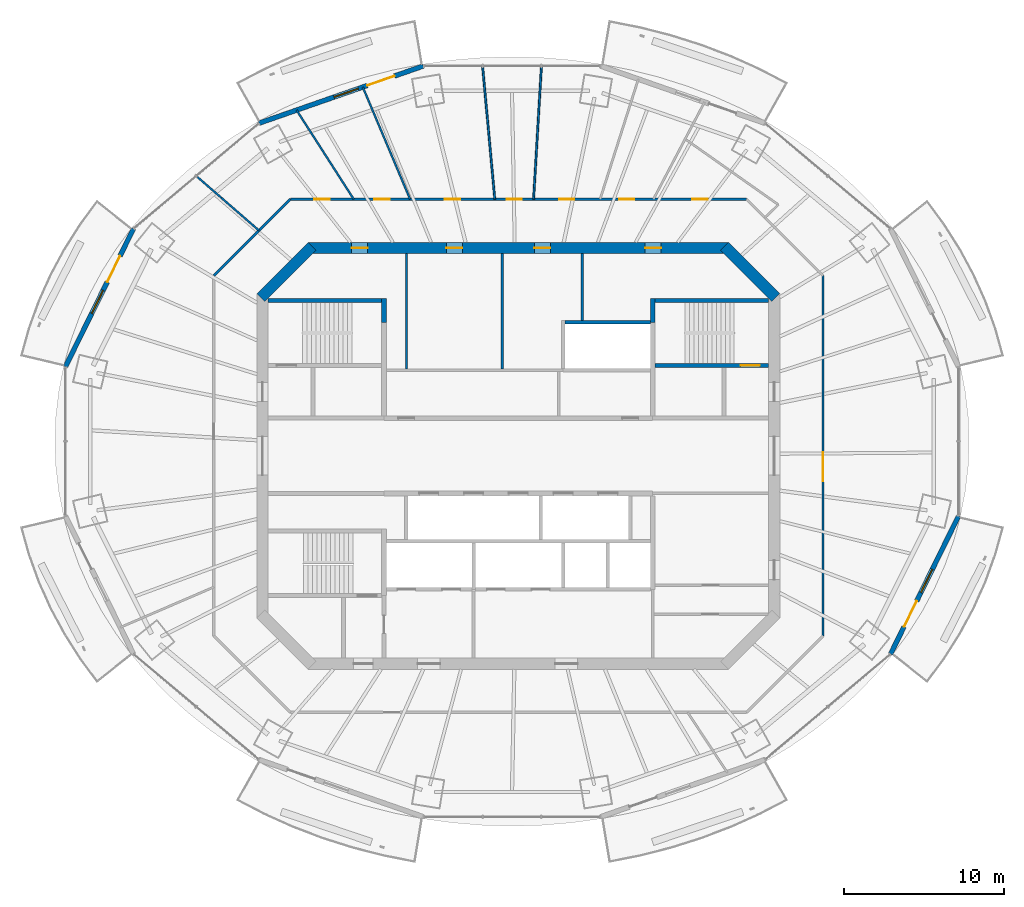
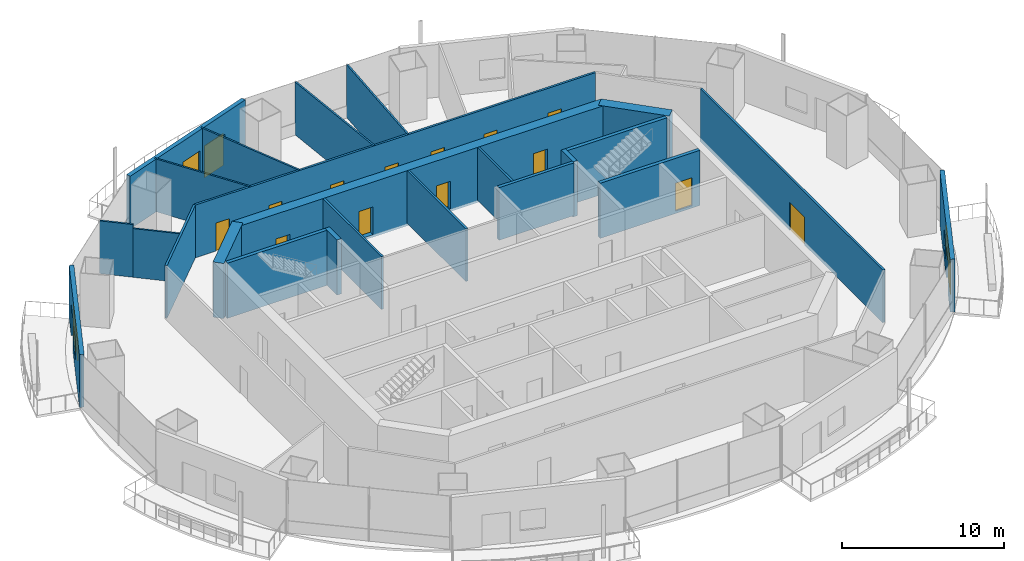
# One storey, part 10 of 16: 24 walls, 16 doors, 3 windows, 19 openings.
"""IFC4 building model written with IfcOpenShell, lengths in metres."""

from ifc_helpers import new_model, si_unit, direction, frame, frame_2d, origin, place, context, subcontext, project, spatial, rectangle, extrude, material, layer, layer_set, type_object, element, fill, save


model = new_model("IFC4")

# Units and contexts
model_context = context("Model", 3, precision=1e-05, world=origin(), true_north=direction((0.0, 1.0)))
body_context = subcontext(model_context, "Body", "Model", "MODEL_VIEW")
ifc_project = project(units=[si_unit("LENGTHUNIT", "METRE"), si_unit("AREAUNIT", "SQUARE_METRE"), si_unit("VOLUMEUNIT", "CUBIC_METRE"), si_unit("PLANEANGLEUNIT", "RADIAN"), si_unit("MASSUNIT", "GRAM", prefix="KILO")], contexts=[model_context])

# Site, building, storey
site_placement = place(None, origin())
site = spatial("IfcSite", under=ifc_project, at=site_placement, CompositionType="ELEMENT")
building_placement = place(site_placement, origin())
building = spatial("IfcBuilding", under=site, at=building_placement, Name="Marenthal Gate Tower", CompositionType="ELEMENT")
storey_placement = place(building_placement, frame((0.0, 0.0, 305.25)))
storey = spatial("IfcBuildingStorey", under=building, at=storey_placement, Name="L68", CompositionType="ELEMENT", Elevation=305.25)

# Wall
ifc_material_1 = material(Name="Concrete 60 MPa", Category="concrete")
ifc_layer_1 = layer(ifc_material_1, 0.699951171875)
ifc_layer_set_1 = layer_set([ifc_layer_1], Name="Core shear wall 700")
wall_type_1 = type_object("IfcWallType", Name="Core shear wall 700", PredefinedType="SHEAR", material=ifc_layer_set_1)
wall_1_placement = place(storey_placement, frame((16.1025390625, 9.8974609375, -0.179931640625), z_axis=(0.0, 0.0, 1.0), x_axis=(-0.707106781187, 0.707106781187, 0.0)))
element("IfcWall", 1, at=wall_1_placement, inside=storey, type_object=wall_type_1, Name="Core wall 03", PredefinedType="SHEAR", context=body_context, shape_type="SweptSolid", body=[
    extrude(rectangle(XDim=4.53271484375, YDim=0.699951171875, at=frame_2d((2.266357421875, 0.0))), origin(), (0.0, 0.0, 1.0), 4.14990234375),
])

# Wall, openings, doors
wall_2_placement = place(storey_placement, frame((13.14501953125, 13.0, -0.179931640625), z_axis=(0.0, 0.0, 1.0), x_axis=(-1.0, 0.0, 0.0)))
wall_2 = element("IfcWall", 2, at=wall_2_placement, inside=storey, type_object=wall_type_1, Name="Core wall 04", PredefinedType="SHEAR", context=body_context, shape_type="SweptSolid", body=[
    extrude(rectangle(XDim=26.2900390625, YDim=0.699951171875, at=frame_2d((13.14501953125, 0.0))), origin(), (0.0, 0.0, 1.0), 4.14990234375),
])
opening_1_placement = place(wall_2_placement, frame((22.57275390625, 0.0, 0.179931640625)))
opening_1 = element("IfcOpeningElement", 3, at=opening_1_placement, cuts=wall_2, Name="Opening D005.03", PredefinedType="OPENING", context=body_context, shape_type="SweptSolid", body=[
    extrude(rectangle(XDim=1.0, YDim=2.10009765625, at=frame_2d((0.5, 1.050048828125))), frame((0.0, 0.35986328125, 0.0), z_axis=(0.0, -1.0, 0.0), x_axis=(1.0, 0.0, 0.0)), (0.0, 0.0, 1.0), 0.719970703125),
])
opening_2_placement = place(wall_2_placement, frame((16.64501953125, 0.0, 0.179931640625)))
opening_2 = element("IfcOpeningElement", 4, at=opening_2_placement, cuts=wall_2, Name="Opening D005.04", PredefinedType="OPENING", context=body_context, shape_type="SweptSolid", body=[
    extrude(rectangle(XDim=1.0, YDim=2.10009765625, at=frame_2d((0.5, 1.050048828125))), frame((0.0, 0.35986328125, 0.0), z_axis=(0.0, -1.0, 0.0), x_axis=(1.0, 0.0, 0.0)), (0.0, 0.0, 1.0), 0.719970703125),
])
opening_3_placement = place(wall_2_placement, frame((11.14501953125, 0.0, 0.179931640625)))
opening_3 = element("IfcOpeningElement", 5, at=opening_3_placement, cuts=wall_2, Name="Opening D005.05", PredefinedType="OPENING", context=body_context, shape_type="SweptSolid", body=[
    extrude(rectangle(XDim=1.0, YDim=2.10009765625, at=frame_2d((0.5, 1.050048828125))), frame((0.0, 0.35986328125, 0.0), z_axis=(0.0, -1.0, 0.0), x_axis=(1.0, 0.0, 0.0)), (0.0, 0.0, 1.0), 0.719970703125),
])
opening_4_placement = place(wall_2_placement, frame((4.21728515625, 0.0, 0.179931640625)))
opening_4 = element("IfcOpeningElement", 6, at=opening_4_placement, cuts=wall_2, Name="Opening D005.06", PredefinedType="OPENING", context=body_context, shape_type="SweptSolid", body=[
    extrude(rectangle(XDim=1.0, YDim=2.10009765625, at=frame_2d((0.5, 1.050048828125))), frame((0.0, 0.35986328125, 0.0), z_axis=(0.0, -1.0, 0.0), x_axis=(1.0, 0.0, 0.0)), (0.0, 0.0, 1.0), 0.719970703125),
])
ifc_material_2 = material(Name="Steel fire door", Category="steel")
door_type_1 = type_object("IfcDoorType", Name="Fire door FD 45 1000 x 2100", OperationType="NOTDEFINED", PredefinedType="DOOR", material=ifc_material_2)
door_1_placement = place(opening_1_placement, origin())
door_1 = element("IfcDoor", 7, at=door_1_placement, inside=storey, type_object=door_type_1, Name="Door D005.03", OperationType="SINGLE_SWING_RIGHT", OverallHeight=2.10009765625, OverallWidth=1.0, PredefinedType="DOOR", context=body_context, shape_type="SweptSolid", body=[
    extrude(rectangle(XDim=1.0, YDim=2.10009765625, at=frame_2d((0.5, 1.050048828125))), frame((0.0, 0.02490234375, 0.0), z_axis=(0.0, -1.0, 0.0), x_axis=(1.0, 0.0, 0.0)), (0.0, 0.0, 1.0), 0.050048828125),
])
fill(opening_1, door_1)
door_2_placement = place(opening_2_placement, origin())
door_2 = element("IfcDoor", 8, at=door_2_placement, inside=storey, type_object=door_type_1, Name="Door D005.04", OperationType="SINGLE_SWING_RIGHT", OverallHeight=2.10009765625, OverallWidth=1.0, PredefinedType="DOOR", context=body_context, shape_type="SweptSolid", body=[
    extrude(rectangle(XDim=1.0, YDim=2.10009765625, at=frame_2d((0.5, 1.050048828125))), frame((0.0, 0.02490234375, 0.0), z_axis=(0.0, -1.0, 0.0), x_axis=(1.0, 0.0, 0.0)), (0.0, 0.0, 1.0), 0.050048828125),
])
fill(opening_2, door_2)
door_3_placement = place(opening_3_placement, origin())
door_3 = element("IfcDoor", 9, at=door_3_placement, inside=storey, type_object=door_type_1, Name="Door D005.05", OperationType="SINGLE_SWING_RIGHT", OverallHeight=2.10009765625, OverallWidth=1.0, PredefinedType="DOOR", context=body_context, shape_type="SweptSolid", body=[
    extrude(rectangle(XDim=1.0, YDim=2.10009765625, at=frame_2d((0.5, 1.050048828125))), frame((0.0, 0.02490234375, 0.0), z_axis=(0.0, -1.0, 0.0), x_axis=(1.0, 0.0, 0.0)), (0.0, 0.0, 1.0), 0.050048828125),
])
fill(opening_3, door_3)
door_4_placement = place(opening_4_placement, origin())
door_4 = element("IfcDoor", 10, at=door_4_placement, inside=storey, type_object=door_type_1, Name="Door D005.06", OperationType="SINGLE_SWING_RIGHT", OverallHeight=2.10009765625, OverallWidth=1.0, PredefinedType="DOOR", context=body_context, shape_type="SweptSolid", body=[
    extrude(rectangle(XDim=1.0, YDim=2.10009765625, at=frame_2d((0.5, 1.050048828125))), frame((0.0, 0.02490234375, 0.0), z_axis=(0.0, -1.0, 0.0), x_axis=(1.0, 0.0, 0.0)), (0.0, 0.0, 1.0), 0.050048828125),
])
fill(opening_4, door_4)

# Walls
wall_3_placement = place(storey_placement, frame((-12.8974609375, 13.1025390625, -0.179931640625), z_axis=(0.0, 0.0, 1.0), x_axis=(-0.707106781187, -0.707106781187, 0.0)))
element("IfcWall", 11, at=wall_3_placement, inside=storey, type_object=wall_type_1, Name="Core wall 05", PredefinedType="SHEAR", context=body_context, shape_type="SweptSolid", body=[
    extrude(rectangle(XDim=4.53271484375, YDim=0.699951171875, at=frame_2d((2.266357421875, 0.0))), origin(), (0.0, 0.0, 1.0), 4.14990234375),
])
ifc_material_3 = material(Name="Concrete 40 MPa", Category="concrete")
ifc_layer_2 = layer(ifc_material_3, 0.219970703125)
ifc_layer_set_2 = layer_set([ifc_layer_2], Name="Hoistway wall 220")
wall_type_2 = type_object("IfcWallType", Name="Hoistway wall 220", PredefinedType="STANDARD", material=ifc_layer_set_2)
wall_4_placement = place(storey_placement, frame((2.909912109375, 8.35009765625, 0.0), z_axis=(0.0, 0.0, 1.0), x_axis=(1.0, 0.0, 0.0)))
element("IfcWall", 12, at=wall_4_placement, inside=storey, type_object=wall_type_2, Name="Hoistway wall 26", PredefinedType="STANDARD", context=body_context, shape_type="SweptSolid", body=[
    extrude(rectangle(XDim=5.340087890625, YDim=0.219970703125, at=frame_2d((2.669921875, 0.0))), origin(), (0.0, 0.0, 1.0), 3.969970703125),
])
ifc_material_4 = material(Name="Gypsum board on steel studs", Category="steel")
ifc_layer_3 = layer(ifc_material_4, 0.1201171875)
ifc_layer_set_3 = layer_set([ifc_layer_3], Name="Partition 120")
wall_type_3 = type_object("IfcWallType", Name="Partition 120", PredefinedType="PARTITIONING", material=ifc_layer_set_3)
wall_5_placement = place(storey_placement, frame((-16.222412109375, 14.091064453125, 0.0), z_axis=(0.0, 0.0, 1.0), x_axis=(-0.754964718634, 0.655765410508, 0.0)))
element("IfcWall", 13, at=wall_5_placement, inside=storey, type_object=wall_type_3, Name="Partition wall 55", PredefinedType="PARTITIONING", context=body_context, shape_type="SweptSolid", body=[
    extrude(rectangle(XDim=3.11572265625, YDim=0.1201171875, at=frame_2d((1.557861328125, 0.0))), origin(), (0.0, 0.0, 1.0), 3.66796875),
])
wall_6_placement = place(storey_placement, frame((-18.57470703125, 16.13427734375, 0.0), z_axis=(0.0, 0.0, 1.0), x_axis=(-0.754958358501, 0.655772732683, 0.0)))
element("IfcWall", 14, at=wall_6_placement, inside=storey, type_object=wall_type_3, Name="Partition wall 71", PredefinedType="PARTITIONING", context=body_context, shape_type="SweptSolid", body=[
    extrude(rectangle(XDim=2.0849609375, YDim=0.1201171875, at=frame_2d((1.04248046875, 0.0))), origin(), (0.0, 0.0, 1.0), 3.969970703125),
])
wall_7_placement = place(storey_placement, frame((-10.29931640625, 16.050048828125, 0.0), z_axis=(0.0, 0.0, 1.0), x_axis=(-0.540034071495, 0.841643155752, 0.0)))
element("IfcWall", 15, at=wall_7_placement, inside=storey, type_object=wall_type_3, Name="Partition wall 58", PredefinedType="PARTITIONING", context=body_context, shape_type="SweptSolid", body=[
    extrude(rectangle(XDim=6.618896484375, YDim=0.1201171875, at=frame_2d((3.3095703125, 0.0))), origin(), (0.0, 0.0, 1.0), 3.969970703125),
])
wall_8_placement = place(storey_placement, frame((-6.7734375, 16.050048828125, 0.0), z_axis=(0.0, 0.0, 1.0), x_axis=(-0.388811119227, 0.92131748793, 0.0)))
element("IfcWall", 16, at=wall_8_placement, inside=storey, type_object=wall_type_3, Name="Partition wall 59", PredefinedType="PARTITIONING", context=body_context, shape_type="SweptSolid", body=[
    extrude(rectangle(XDim=7.611572265625, YDim=0.1201171875, at=frame_2d((3.8056640625, 0.0))), origin(), (0.0, 0.0, 1.0), 3.969970703125),
])
wall_9_placement = place(storey_placement, frame((-1.47607421875, 16.050048828125, 0.0), z_axis=(0.0, 0.0, 1.0), x_axis=(-0.09154907724, 0.995800565604, 0.0)))
element("IfcWall", 17, at=wall_9_placement, inside=storey, type_object=wall_type_3, Name="Partition wall 60", PredefinedType="PARTITIONING", context=body_context, shape_type="SweptSolid", body=[
    extrude(rectangle(XDim=8.363037109375, YDim=0.1201171875, at=frame_2d((4.181640625, 0.0))), origin(), (0.0, 0.0, 1.0), 3.969970703125),
])
wall_10_placement = place(storey_placement, frame((0.94921875, 16.050048828125, 0.0), z_axis=(0.0, 0.0, 1.0), x_axis=(0.059056546613, 0.998254639009, 0.0)))
element("IfcWall", 18, at=wall_10_placement, inside=storey, type_object=wall_type_3, Name="Partition wall 61", PredefinedType="PARTITIONING", context=body_context, shape_type="SweptSolid", body=[
    extrude(rectangle(XDim=8.342529296875, YDim=0.1201171875, at=frame_2d((4.17138671875, 0.0))), origin(), (0.0, 0.0, 1.0), 3.969970703125),
])
ifc_material_5 = material(Name="Gypsum board on steel studs", Category="steel")
ifc_layer_4 = layer(ifc_material_5, 0.14990234375)
ifc_layer_set_4 = layer_set([ifc_layer_4], Name="Partition 150")
wall_type_4 = type_object("IfcWallType", Name="Partition 150", PredefinedType="PARTITIONING", material=ifc_layer_set_4)
for number, where, z_axis, x_axis, name in (
    (19, (-7.0, 5.425048828125, 0.0), (0.0, 0.0, 1.0), (0.0, 1.0, 0.0), "Partition wall 36"),
    (20, (-1.0, 5.425048828125, 0.0), (0.0, 0.0, 1.0), (0.0, 1.0, 0.0), "Partition wall 39"),
):
    element("IfcWall", number, at=place(storey_placement, frame(where, z_axis=z_axis, x_axis=x_axis)), inside=storey, type_object=wall_type_4, Name=name, PredefinedType="PARTITIONING", context=body_context, shape_type="SweptSolid", body=[
        extrude(rectangle(XDim=7.224853515625, YDim=0.14990234375, at=frame_2d((3.6123046875, 0.0))), origin(), (0.0, 0.0, 1.0), 3.969970703125),
    ])
wall_11_placement = place(storey_placement, frame((4.0, 8.4599609375, 0.0), z_axis=(0.0, 0.0, 1.0), x_axis=(0.0, 1.0, 0.0)))
element("IfcWall", 21, at=wall_11_placement, inside=storey, type_object=wall_type_4, Name="Partition wall 44", PredefinedType="PARTITIONING", context=body_context, shape_type="SweptSolid", body=[
    extrude(rectangle(XDim=4.18994140625, YDim=0.14990234375, at=frame_2d((2.094970703125, 0.0))), origin(), (0.0, 0.0, 1.0), 3.969970703125),
])
wall_12_placement = place(storey_placement, frame((-19.050048828125, 11.263427734375, 0.0), z_axis=(0.0, 0.0, 1.0), x_axis=(0.707106781187, 0.707106781187, 0.0)))
element("IfcWall", 22, at=wall_12_placement, inside=storey, type_object=wall_type_4, Name="Partition wall 54", PredefinedType="PARTITIONING", context=body_context, shape_type="SweptSolid", body=[
    extrude(rectangle(XDim=6.769287109375, YDim=0.14990234375, at=frame_2d((3.384765625, 0.0))), origin(), (0.0, 0.0, 1.0), 3.969970703125),
])

# Wall, openings, doors
wall_13_placement = place(storey_placement, frame((-14.263427734375, 16.050048828125, 0.0), z_axis=(0.0, 0.0, 1.0), x_axis=(1.0, 0.0, 0.0)))
wall_13 = element("IfcWall", 23, at=wall_13_placement, inside=storey, type_object=wall_type_4, Name="Partition wall 57", PredefinedType="PARTITIONING", context=body_context, shape_type="SweptSolid", body=[
    extrude(rectangle(XDim=28.52685546875, YDim=0.14990234375, at=frame_2d((14.263427734375, 0.0))), origin(), (0.0, 0.0, 1.0), 3.969970703125),
])
opening_5_placement = place(wall_13_placement, frame((25.14404296875, 0.0, 0.0)))
opening_5 = element("IfcOpeningElement", 24, at=opening_5_placement, cuts=wall_13, Name="Opening D016.01", PredefinedType="OPENING", context=body_context, shape_type="SweptSolid", body=[
    extrude(rectangle(XDim=0.949951171875, YDim=2.10009765625, at=frame_2d((0.47509765625, 1.050048828125))), frame((0.0, 0.0849609375, 0.0), z_axis=(0.0, -1.0, 0.0), x_axis=(1.0, 0.0, 0.0)), (0.0, 0.0, 1.0), 0.169921875),
])
opening_6_placement = place(wall_13_placement, frame((20.56689453125, 0.0, 0.0)))
opening_6 = element("IfcOpeningElement", 25, at=opening_6_placement, cuts=wall_13, Name="Opening D016.02", PredefinedType="OPENING", context=body_context, shape_type="SweptSolid", body=[
    extrude(rectangle(XDim=0.949951171875, YDim=2.10009765625, at=frame_2d((0.47509765625, 1.050048828125))), frame((0.0, 0.0849609375, 0.0), z_axis=(0.0, -1.0, 0.0), x_axis=(1.0, 0.0, 0.0)), (0.0, 0.0, 1.0), 0.169921875),
])
opening_7_placement = place(wall_13_placement, frame((16.818115234375, 0.0, 0.0)))
opening_7 = element("IfcOpeningElement", 26, at=opening_7_placement, cuts=wall_13, Name="Opening D016.03", PredefinedType="OPENING", context=body_context, shape_type="SweptSolid", body=[
    extrude(rectangle(XDim=0.949951171875, YDim=2.10009765625, at=frame_2d((0.47509765625, 1.050048828125))), frame((0.0, 0.0849609375, 0.0), z_axis=(0.0, -1.0, 0.0), x_axis=(1.0, 0.0, 0.0)), (0.0, 0.0, 1.0), 0.169921875),
])
opening_8_placement = place(wall_13_placement, frame((13.52490234375, 0.0, 0.0)))
opening_8 = element("IfcOpeningElement", 27, at=opening_8_placement, cuts=wall_13, Name="Opening D016.04", PredefinedType="OPENING", context=body_context, shape_type="SweptSolid", body=[
    extrude(rectangle(XDim=0.949951171875, YDim=2.10009765625, at=frame_2d((0.47509765625, 1.050048828125))), frame((0.0, 0.0849609375, 0.0), z_axis=(0.0, -1.0, 0.0), x_axis=(1.0, 0.0, 0.0)), (0.0, 0.0, 1.0), 0.169921875),
])
opening_9_placement = place(wall_13_placement, frame((9.6640625, 0.0, 0.0)))
opening_9 = element("IfcOpeningElement", 28, at=opening_9_placement, cuts=wall_13, Name="Opening D016.05", PredefinedType="OPENING", context=body_context, shape_type="SweptSolid", body=[
    extrude(rectangle(XDim=0.949951171875, YDim=2.10009765625, at=frame_2d((0.47509765625, 1.050048828125))), frame((0.0, 0.0849609375, 0.0), z_axis=(0.0, -1.0, 0.0), x_axis=(1.0, 0.0, 0.0)), (0.0, 0.0, 1.0), 0.169921875),
])
opening_10_placement = place(wall_13_placement, frame((5.251953125, 0.0, 0.0)))
opening_10 = element("IfcOpeningElement", 29, at=opening_10_placement, cuts=wall_13, Name="Opening D016.06", PredefinedType="OPENING", context=body_context, shape_type="SweptSolid", body=[
    extrude(rectangle(XDim=0.949951171875, YDim=2.10009765625, at=frame_2d((0.47509765625, 1.050048828125))), frame((0.0, 0.0849609375, 0.0), z_axis=(0.0, -1.0, 0.0), x_axis=(1.0, 0.0, 0.0)), (0.0, 0.0, 1.0), 0.169921875),
])
opening_11_placement = place(wall_13_placement, frame((1.507080078125, 0.0, 0.0)))
opening_11 = element("IfcOpeningElement", 30, at=opening_11_placement, cuts=wall_13, Name="Opening D016.07", PredefinedType="OPENING", context=body_context, shape_type="SweptSolid", body=[
    extrude(rectangle(XDim=0.949951171875, YDim=2.10009765625, at=frame_2d((0.47509765625, 1.050048828125))), frame((0.0, 0.0849609375, 0.0), z_axis=(0.0, -1.0, 0.0), x_axis=(1.0, 0.0, 0.0)), (0.0, 0.0, 1.0), 0.169921875),
])
ifc_material_6 = material(Name="Timber door", Category="wood")
door_type_2 = type_object("IfcDoorType", Name="Door 950 x 2100", OperationType="NOTDEFINED", PredefinedType="DOOR", material=ifc_material_6)
door_5_placement = place(opening_5_placement, origin())
door_5 = element("IfcDoor", 31, at=door_5_placement, inside=storey, type_object=door_type_2, Name="Door D016.01", OperationType="SINGLE_SWING_RIGHT", OverallHeight=2.10009765625, OverallWidth=0.949951171875, PredefinedType="DOOR", context=body_context, shape_type="SweptSolid", body=[
    extrude(rectangle(XDim=0.949951171875, YDim=2.10009765625, at=frame_2d((0.47509765625, 1.050048828125))), frame((0.0, 0.02490234375, 0.0), z_axis=(0.0, -1.0, 0.0), x_axis=(1.0, 0.0, 0.0)), (0.0, 0.0, 1.0), 0.050048828125),
])
fill(opening_5, door_5)
door_6_placement = place(opening_6_placement, origin())
door_6 = element("IfcDoor", 32, at=door_6_placement, inside=storey, type_object=door_type_2, Name="Door D016.02", OperationType="SINGLE_SWING_RIGHT", OverallHeight=2.10009765625, OverallWidth=0.949951171875, PredefinedType="DOOR", context=body_context, shape_type="SweptSolid", body=[
    extrude(rectangle(XDim=0.949951171875, YDim=2.10009765625, at=frame_2d((0.47509765625, 1.050048828125))), frame((0.0, 0.02490234375, 0.0), z_axis=(0.0, -1.0, 0.0), x_axis=(1.0, 0.0, 0.0)), (0.0, 0.0, 1.0), 0.050048828125),
])
fill(opening_6, door_6)
door_7_placement = place(opening_7_placement, origin())
door_7 = element("IfcDoor", 33, at=door_7_placement, inside=storey, type_object=door_type_2, Name="Door D016.03", OperationType="SINGLE_SWING_RIGHT", OverallHeight=2.10009765625, OverallWidth=0.949951171875, PredefinedType="DOOR", context=body_context, shape_type="SweptSolid", body=[
    extrude(rectangle(XDim=0.949951171875, YDim=2.10009765625, at=frame_2d((0.47509765625, 1.050048828125))), frame((0.0, 0.02490234375, 0.0), z_axis=(0.0, -1.0, 0.0), x_axis=(1.0, 0.0, 0.0)), (0.0, 0.0, 1.0), 0.050048828125),
])
fill(opening_7, door_7)
door_8_placement = place(opening_8_placement, origin())
door_8 = element("IfcDoor", 34, at=door_8_placement, inside=storey, type_object=door_type_2, Name="Door D016.04", OperationType="SINGLE_SWING_RIGHT", OverallHeight=2.10009765625, OverallWidth=0.949951171875, PredefinedType="DOOR", context=body_context, shape_type="SweptSolid", body=[
    extrude(rectangle(XDim=0.949951171875, YDim=2.10009765625, at=frame_2d((0.47509765625, 1.050048828125))), frame((0.0, 0.02490234375, 0.0), z_axis=(0.0, -1.0, 0.0), x_axis=(1.0, 0.0, 0.0)), (0.0, 0.0, 1.0), 0.050048828125),
])
fill(opening_8, door_8)
door_9_placement = place(opening_9_placement, origin())
door_9 = element("IfcDoor", 35, at=door_9_placement, inside=storey, type_object=door_type_2, Name="Door D016.05", OperationType="SINGLE_SWING_RIGHT", OverallHeight=2.10009765625, OverallWidth=0.949951171875, PredefinedType="DOOR", context=body_context, shape_type="SweptSolid", body=[
    extrude(rectangle(XDim=0.949951171875, YDim=2.10009765625, at=frame_2d((0.47509765625, 1.050048828125))), frame((0.0, 0.02490234375, 0.0), z_axis=(0.0, -1.0, 0.0), x_axis=(1.0, 0.0, 0.0)), (0.0, 0.0, 1.0), 0.050048828125),
])
fill(opening_9, door_9)
door_10_placement = place(opening_10_placement, origin())
door_10 = element("IfcDoor", 36, at=door_10_placement, inside=storey, type_object=door_type_2, Name="Door D016.06", OperationType="SINGLE_SWING_RIGHT", OverallHeight=2.10009765625, OverallWidth=0.949951171875, PredefinedType="DOOR", context=body_context, shape_type="SweptSolid", body=[
    extrude(rectangle(XDim=0.949951171875, YDim=2.10009765625, at=frame_2d((0.47509765625, 1.050048828125))), frame((0.0, 0.02490234375, 0.0), z_axis=(0.0, -1.0, 0.0), x_axis=(1.0, 0.0, 0.0)), (0.0, 0.0, 1.0), 0.050048828125),
])
fill(opening_10, door_10)
door_11_placement = place(opening_11_placement, origin())
door_11 = element("IfcDoor", 37, at=door_11_placement, inside=storey, type_object=door_type_2, Name="Door D016.07", OperationType="SINGLE_SWING_RIGHT", OverallHeight=2.10009765625, OverallWidth=0.949951171875, PredefinedType="DOOR", context=body_context, shape_type="SweptSolid", body=[
    extrude(rectangle(XDim=0.949951171875, YDim=2.10009765625, at=frame_2d((0.47509765625, 1.050048828125))), frame((0.0, 0.02490234375, 0.0), z_axis=(0.0, -1.0, 0.0), x_axis=(1.0, 0.0, 0.0)), (0.0, 0.0, 1.0), 0.050048828125),
])
fill(opening_11, door_11)

# Wall, opening, door
wall_14_placement = place(storey_placement, frame((19.050048828125, 11.263427734375, 0.0), z_axis=(0.0, 0.0, 1.0), x_axis=(0.0, -1.0, 0.0)))
wall_14 = element("IfcWall", 38, at=wall_14_placement, inside=storey, type_object=wall_type_4, Name="Partition wall 70", PredefinedType="PARTITIONING", context=body_context, shape_type="SweptSolid", body=[
    extrude(rectangle(XDim=22.52685546875, YDim=0.14990234375, at=frame_2d((11.263427734375, 0.0))), origin(), (0.0, 0.0, 1.0), 3.969970703125),
])
opening_12_placement = place(wall_14_placement, frame((11.0419921875, 0.0, 0.0)))
opening_12 = element("IfcOpeningElement", 39, at=opening_12_placement, cuts=wall_14, Name="Opening D014.01", PredefinedType="OPENING", context=body_context, shape_type="SweptSolid", body=[
    extrude(rectangle(XDim=1.800048828125, YDim=2.10009765625, at=frame_2d((0.89990234375, 1.050048828125))), frame((0.0, 0.0849609375, 0.0), z_axis=(0.0, -1.0, 0.0), x_axis=(1.0, 0.0, 0.0)), (0.0, 0.0, 1.0), 0.169921875),
])
ifc_material_7 = material(Name="Timber door", Category="wood")
door_type_3 = type_object("IfcDoorType", Name="Double door 1800 x 2100", OperationType="DOUBLE_DOOR_SINGLE_SWING", PredefinedType="DOOR", material=ifc_material_7)
door_12_placement = place(opening_12_placement, origin())
door_12 = element("IfcDoor", 40, at=door_12_placement, inside=storey, type_object=door_type_3, Name="Door D014.01", OperationType="DOUBLE_DOOR_SINGLE_SWING", OverallHeight=2.10009765625, OverallWidth=1.800048828125, PredefinedType="DOOR", context=body_context, shape_type="SweptSolid", body=[
    extrude(rectangle(XDim=1.800048828125, YDim=2.10009765625, at=frame_2d((0.89990234375, 1.050048828125))), frame((0.0, 0.02490234375, 0.0), z_axis=(0.0, -1.0, 0.0), x_axis=(1.0, 0.0, 0.0)), (0.0, 0.0, 1.0), 0.050048828125),
])
fill(opening_12, door_12)

ifc_material_8 = material(Name="Concrete 50 MPa", Category="concrete")
ifc_layer_5 = layer(ifc_material_8, 0.25)
ifc_layer_set_5 = layer_set([ifc_layer_5], Name="Stair shear wall 250")
wall_type_5 = type_object("IfcWallType", Name="Stair shear wall 250", PredefinedType="SHEAR", material=ifc_layer_set_5)
wall_15_placement = place(storey_placement, frame((8.550048828125, 5.64990234375, -0.179931640625), z_axis=(0.0, 0.0, 1.0), x_axis=(1.0, 0.0, 0.0)))
wall_15 = element("IfcWall", 41, at=wall_15_placement, inside=storey, type_object=wall_type_5, Name="Stair wall 25", PredefinedType="SHEAR", context=body_context, shape_type="SweptSolid", body=[
    extrude(rectangle(XDim=7.099853515625, YDim=0.25, at=frame_2d((3.5498046875, 0.0))), origin(), (0.0, 0.0, 1.0), 4.14990234375),
])
opening_13_placement = place(wall_15_placement, frame((5.35009765625, 0.0, 0.179931640625)))
opening_13 = element("IfcOpeningElement", 42, at=opening_13_placement, cuts=wall_15, Name="Opening D001.02", PredefinedType="OPENING", context=body_context, shape_type="SweptSolid", body=[
    extrude(rectangle(XDim=1.199951171875, YDim=2.10009765625, at=frame_2d((0.60009765625, 1.050048828125))), frame((0.0, 0.135009765625, 0.0), z_axis=(0.0, -1.0, 0.0), x_axis=(1.0, 0.0, 0.0)), (0.0, 0.0, 1.0), 0.27001953125),
])
ifc_material_9 = material(Name="Steel fire door", Category="steel")
door_type_4 = type_object("IfcDoorType", Name="Fire door FD 90 1200 x 2100", OperationType="NOTDEFINED", PredefinedType="DOOR", material=ifc_material_9)
door_13_placement = place(opening_13_placement, origin())
door_13 = element("IfcDoor", 43, at=door_13_placement, inside=storey, type_object=door_type_4, Name="Door D001.02", OperationType="SINGLE_SWING_RIGHT", OverallHeight=2.10009765625, OverallWidth=1.199951171875, PredefinedType="DOOR", context=body_context, shape_type="SweptSolid", body=[
    extrude(rectangle(XDim=1.199951171875, YDim=2.10009765625, at=frame_2d((0.60009765625, 1.050048828125))), frame((0.0, 0.02490234375, 0.0), z_axis=(0.0, -1.0, 0.0), x_axis=(1.0, 0.0, 0.0)), (0.0, 0.0, 1.0), 0.050048828125),
])
fill(opening_13, door_13)

# Walls
for number, where, z_axis, x_axis, name in (
    (44, (-15.64990234375, 9.699951171875, -0.179931640625), (0.0, 0.0, 1.0), (1.0, 0.0, 0.0), "Stair wall 27"),
    (45, (8.550048828125, 9.699951171875, -0.179931640625), (0.0, 0.0, 1.0), (1.0, 0.0, 0.0), "Stair wall 28"),
):
    element("IfcWall", number, at=place(storey_placement, frame(where, z_axis=z_axis, x_axis=x_axis)), inside=storey, type_object=wall_type_5, Name=name, PredefinedType="SHEAR", context=body_context, shape_type="SweptSolid", body=[
        extrude(rectangle(XDim=7.099853515625, YDim=0.25, at=frame_2d((3.5498046875, 0.0))), origin(), (0.0, 0.0, 1.0), 4.14990234375),
    ])
ifc_material_10 = material(Name="Concrete 50 MPa", Category="concrete")
ifc_layer_6 = layer(ifc_material_10, 0.300048828125)
ifc_layer_set_6 = layer_set([ifc_layer_6], Name="Stair shear wall 300")
wall_type_6 = type_object("IfcWallType", Name="Stair shear wall 300", PredefinedType="SHEAR", material=ifc_layer_set_6)
for number, where, z_axis, x_axis, name in (
    (46, (-8.39990234375, 8.35009765625, -0.179931640625), (0.0, 0.0, 1.0), (0.0, 1.0, 0.0), "Stair wall 34"),
    (47, (8.39990234375, 8.35009765625, -0.179931640625), (0.0, 0.0, 1.0), (0.0, 1.0, 0.0), "Stair wall 50"),
):
    element("IfcWall", number, at=place(storey_placement, frame(where, z_axis=z_axis, x_axis=x_axis)), inside=storey, type_object=wall_type_6, Name=name, PredefinedType="SHEAR", context=body_context, shape_type="SweptSolid", body=[
        extrude(rectangle(XDim=1.474853515625, YDim=0.300048828125, at=frame_2d((0.7373046875, 0.0))), origin(), (0.0, 0.0, 1.0), 4.14990234375),
    ])

# Wall, openings, door, window
ifc_material_11 = material(Name="Terracotta cladding on insulated concrete-block backing", Category="masonry")
ifc_layer_7 = layer(ifc_material_11, 0.300048828125)
ifc_layer_set_7 = layer_set([ifc_layer_7], Name="Terracotta facade wall 300")
wall_type_7 = type_object("IfcWallType", Name="Terracotta facade wall 300", PredefinedType="SOLIDWALL", material=ifc_layer_set_7)
wall_16_placement = place(storey_placement, frame((-5.955322265625, 24.3779296875, 0.0), z_axis=(0.0, 0.0, 1.0), x_axis=(-0.944390086162, -0.328827257323, 0.0)))
wall_16 = element("IfcWall", 48, at=wall_16_placement, inside=storey, type_object=wall_type_7, Name="Terracotta facade wall L68 bay 5", PredefinedType="SOLIDWALL", context=body_context, shape_type="SweptSolid", body=[
    extrude(rectangle(XDim=10.86962890625, YDim=0.300048828125, at=frame_2d((5.434814453125, 0.0))), origin(), (0.0, 0.0, 1.0), 3.969970703125),
])
opening_14_placement = place(wall_16_placement, frame((1.89990234375, 0.0, 0.0)))
opening_14 = element("IfcOpeningElement", 49, at=opening_14_placement, cuts=wall_16, Name="Opening BD-L68-05", PredefinedType="OPENING", context=body_context, shape_type="SweptSolid", body=[
    extrude(rectangle(XDim=1.800048828125, YDim=2.39990234375, at=frame_2d((0.89990234375, 1.199951171875))), frame((0.0, 0.16015625, 0.0), z_axis=(0.0, -1.0, 0.0), x_axis=(1.0, 0.0, 0.0)), (0.0, 0.0, 1.0), 0.320068359375),
])
opening_15_placement = place(wall_16_placement, frame((4.300048828125, 0.0, 0.89990234375)))
opening_15 = element("IfcOpeningElement", 50, at=opening_15_placement, cuts=wall_16, Name="Opening WN3-L68-05", PredefinedType="OPENING", context=body_context, shape_type="SweptSolid", body=[
    extrude(rectangle(XDim=1.60009765625, YDim=1.5, at=frame_2d((0.800048828125, 0.75))), frame((0.0, 0.16015625, 0.0), z_axis=(0.0, -1.0, 0.0), x_axis=(1.0, 0.0, 0.0)), (0.0, 0.0, 1.0), 0.320068359375),
])
ifc_material_12 = material(Name="Aluminium and glass", Category="aluminium")
door_type_5 = type_object("IfcDoorType", Name="Balcony door 1800x2400", OperationType="DOUBLE_DOOR_SINGLE_SWING", PredefinedType="DOOR", material=ifc_material_12)
door_14_placement = place(opening_14_placement, origin())
door_14 = element("IfcDoor", 51, at=door_14_placement, inside=storey, type_object=door_type_5, Name="Balcony door L68 bay 5", OperationType="SINGLE_SWING_LEFT", OverallHeight=2.39990234375, OverallWidth=1.800048828125, PredefinedType="DOOR", context=body_context, shape_type="SweptSolid", body=[
    extrude(rectangle(XDim=1.800048828125, YDim=2.39990234375, at=frame_2d((0.89990234375, 1.199951171875))), frame((0.0, 0.02490234375, 0.0), z_axis=(0.0, -1.0, 0.0), x_axis=(1.0, 0.0, 0.0)), (0.0, 0.0, 1.0), 0.050048828125),
])
fill(opening_14, door_14)
ifc_material_13 = material(Name="Aluminium and glass", Category="aluminium")
window_type = type_object("IfcWindowType", Name="Window 1600x1500", PartitioningType="DOUBLE_PANEL_VERTICAL", PredefinedType="WINDOW", material=ifc_material_13)
window_1_placement = place(opening_15_placement, origin())
window_1 = element("IfcWindow", 52, at=window_1_placement, inside=storey, type_object=window_type, Name="Window L68 bay 5", OverallHeight=1.5, OverallWidth=1.60009765625, PartitioningType="SINGLE_PANEL", PredefinedType="WINDOW", context=body_context, shape_type="SweptSolid", body=[
    extrude(rectangle(XDim=1.60009765625, YDim=1.5, at=frame_2d((0.800048828125, 0.75))), frame((0.0, 0.030029296875, 0.0), z_axis=(0.0, -1.0, 0.0), x_axis=(1.0, 0.0, 0.0)), (0.0, 0.0, 1.0), 0.06005859375),
])
fill(opening_15, window_1)

wall_17_placement = place(storey_placement, frame((-24.076904296875, 14.19921875, 0.0), z_axis=(0.0, 0.0, 1.0), x_axis=(-0.441998272381, -0.897015901315, 0.0)))
wall_17 = element("IfcWall", 53, at=wall_17_placement, inside=storey, type_object=wall_type_7, Name="Terracotta facade wall L68 bay 7", PredefinedType="SOLIDWALL", context=body_context, shape_type="SweptSolid", body=[
    extrude(rectangle(XDim=9.619873046875, YDim=0.300048828125, at=frame_2d((4.81005859375, 0.0))), origin(), (0.0, 0.0, 1.0), 3.969970703125),
])
opening_16_placement = place(wall_17_placement, frame((1.89990234375, 0.0, 0.0)))
opening_16 = element("IfcOpeningElement", 54, at=opening_16_placement, cuts=wall_17, Name="Opening BD-L68-07", PredefinedType="OPENING", context=body_context, shape_type="SweptSolid", body=[
    extrude(rectangle(XDim=1.800048828125, YDim=2.39990234375, at=frame_2d((0.89990234375, 1.199951171875))), frame((0.0, 0.16015625, 0.0), z_axis=(0.0, -1.0, 0.0), x_axis=(1.0, 0.0, 0.0)), (0.0, 0.0, 1.0), 0.320068359375),
])
opening_17_placement = place(wall_17_placement, frame((4.300048828125, 0.0, 0.89990234375)))
opening_17 = element("IfcOpeningElement", 55, at=opening_17_placement, cuts=wall_17, Name="Opening WN3-L68-07", PredefinedType="OPENING", context=body_context, shape_type="SweptSolid", body=[
    extrude(rectangle(XDim=1.60009765625, YDim=1.5, at=frame_2d((0.800048828125, 0.75))), frame((0.0, 0.16015625, 0.0), z_axis=(0.0, -1.0, 0.0), x_axis=(1.0, 0.0, 0.0)), (0.0, 0.0, 1.0), 0.320068359375),
])
door_15_placement = place(opening_16_placement, origin())
door_15 = element("IfcDoor", 56, at=door_15_placement, inside=storey, type_object=door_type_5, Name="Balcony door L68 bay 7", OperationType="SINGLE_SWING_LEFT", OverallHeight=2.39990234375, OverallWidth=1.800048828125, PredefinedType="DOOR", context=body_context, shape_type="SweptSolid", body=[
    extrude(rectangle(XDim=1.800048828125, YDim=2.39990234375, at=frame_2d((0.89990234375, 1.199951171875))), frame((0.0, 0.02490234375, 0.0), z_axis=(0.0, -1.0, 0.0), x_axis=(1.0, 0.0, 0.0)), (0.0, 0.0, 1.0), 0.050048828125),
])
fill(opening_16, door_15)
window_2_placement = place(opening_17_placement, origin())
window_2 = element("IfcWindow", 57, at=window_2_placement, inside=storey, type_object=window_type, Name="Window L68 bay 7", OverallHeight=1.5, OverallWidth=1.60009765625, PartitioningType="SINGLE_PANEL", PredefinedType="WINDOW", context=body_context, shape_type="SweptSolid", body=[
    extrude(rectangle(XDim=1.60009765625, YDim=1.5, at=frame_2d((0.800048828125, 0.75))), frame((0.0, 0.030029296875, 0.0), z_axis=(0.0, -1.0, 0.0), x_axis=(1.0, 0.0, 0.0)), (0.0, 0.0, 1.0), 0.06005859375),
])
fill(opening_17, window_2)

wall_18_placement = place(storey_placement, frame((23.27685546875, -12.399169921875, 0.0), z_axis=(0.0, 0.0, 1.0), x_axis=(0.441998272381, 0.897015901315, 0.0)))
wall_18 = element("IfcWall", 58, at=wall_18_placement, inside=storey, type_object=wall_type_7, Name="Terracotta facade wall L68 bay 15", PredefinedType="SOLIDWALL", context=body_context, shape_type="SweptSolid", body=[
    extrude(rectangle(XDim=9.619873046875, YDim=0.300048828125, at=frame_2d((4.81005859375, 0.0))), origin(), (0.0, 0.0, 1.0), 3.969970703125),
])
opening_18_placement = place(wall_18_placement, frame((1.89990234375, 0.0, 0.0)))
opening_18 = element("IfcOpeningElement", 59, at=opening_18_placement, cuts=wall_18, Name="Opening BD-L68-15", PredefinedType="OPENING", context=body_context, shape_type="SweptSolid", body=[
    extrude(rectangle(XDim=1.800048828125, YDim=2.39990234375, at=frame_2d((0.89990234375, 1.199951171875))), frame((0.0, 0.16015625, 0.0), z_axis=(0.0, -1.0, 0.0), x_axis=(1.0, 0.0, 0.0)), (0.0, 0.0, 1.0), 0.320068359375),
])
opening_19_placement = place(wall_18_placement, frame((4.300048828125, 0.0, 0.89990234375)))
opening_19 = element("IfcOpeningElement", 60, at=opening_19_placement, cuts=wall_18, Name="Opening WN3-L68-15", PredefinedType="OPENING", context=body_context, shape_type="SweptSolid", body=[
    extrude(rectangle(XDim=1.60009765625, YDim=1.5, at=frame_2d((0.800048828125, 0.75))), frame((0.0, 0.16015625, 0.0), z_axis=(0.0, -1.0, 0.0), x_axis=(1.0, 0.0, 0.0)), (0.0, 0.0, 1.0), 0.320068359375),
])
door_16_placement = place(opening_18_placement, origin())
door_16 = element("IfcDoor", 61, at=door_16_placement, inside=storey, type_object=door_type_5, Name="Balcony door L68 bay 15", OperationType="SINGLE_SWING_LEFT", OverallHeight=2.39990234375, OverallWidth=1.800048828125, PredefinedType="DOOR", context=body_context, shape_type="SweptSolid", body=[
    extrude(rectangle(XDim=1.800048828125, YDim=2.39990234375, at=frame_2d((0.89990234375, 1.199951171875))), frame((0.0, 0.02490234375, 0.0), z_axis=(0.0, -1.0, 0.0), x_axis=(1.0, 0.0, 0.0)), (0.0, 0.0, 1.0), 0.050048828125),
])
fill(opening_18, door_16)
window_3_placement = place(opening_19_placement, origin())
window_3 = element("IfcWindow", 62, at=window_3_placement, inside=storey, type_object=window_type, Name="Window L68 bay 15", OverallHeight=1.5, OverallWidth=1.60009765625, PartitioningType="SINGLE_PANEL", PredefinedType="WINDOW", context=body_context, shape_type="SweptSolid", body=[
    extrude(rectangle(XDim=1.60009765625, YDim=1.5, at=frame_2d((0.800048828125, 0.75))), frame((0.0, 0.030029296875, 0.0), z_axis=(0.0, -1.0, 0.0), x_axis=(1.0, 0.0, 0.0)), (0.0, 0.0, 1.0), 0.06005859375),
])
fill(opening_19, window_3)

save(model, "model.ifc")
